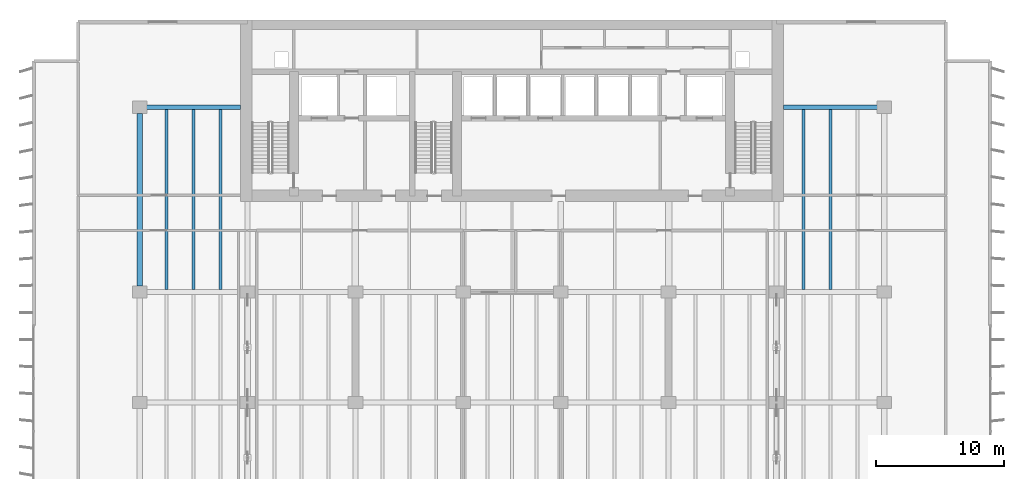
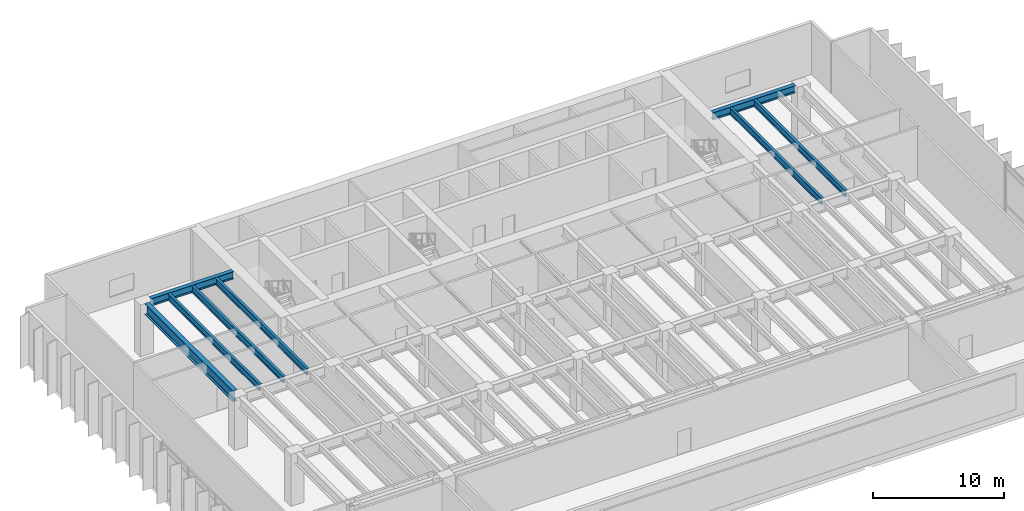
# One storey, part 9 of 21: 8 beams.
"""IFC4 building model written with IfcOpenShell, lengths in metres."""

from ifc_helpers import new_model, si_unit, direction, frame, origin, origin_2d, place, context, subcontext, project, spatial, i_section, extrude, material, material_profile, profile_set, type_object, element, save


model = new_model("IFC4")

# Units and contexts
model_context = context("Model", 3, precision=1e-05, world=origin(), true_north=direction((0.0, 1.0)))
body_context = subcontext(model_context, "Body", "Model", "MODEL_VIEW")
ifc_project = project(units=[si_unit("LENGTHUNIT", "METRE"), si_unit("AREAUNIT", "SQUARE_METRE"), si_unit("VOLUMEUNIT", "CUBIC_METRE"), si_unit("PLANEANGLEUNIT", "RADIAN"), si_unit("MASSUNIT", "GRAM", prefix="KILO")], contexts=[model_context])

# Site, building, storey
site_placement = place(None, origin())
site = spatial("IfcSite", under=ifc_project, at=site_placement, CompositionType="ELEMENT")
building_placement = place(site_placement, origin())
building = spatial("IfcBuilding", under=site, at=building_placement, Name="Caelmar Bay Residences", CompositionType="ELEMENT")
storey_placement = place(building_placement, frame((0.0, 0.0, 79.5)))
storey = spatial("IfcBuildingStorey", under=building, at=storey_placement, Name="L21", CompositionType="ELEMENT", Elevation=79.5)

# Beams
ifc_material = material(Name="Steel ASTM A992 Grade 50", Category="steel")
ifc_material_profile_1 = material_profile(ifc_material, i_section(OverallWidth=0.404052734375, OverallDepth=1.02099609375, WebThickness=0.025390625, FlangeThickness=0.0458984375, FilletRadius=0.02294921875, at=origin_2d()), Name="W40X324")
ifc_profile_set_1 = profile_set([ifc_material_profile_1], Name="Steel ASTM A992 Grade 50")
beam_type_1 = type_object("IfcBeamType", Name="BM-GRD-W40X324", PredefinedType="BEAM", material=ifc_profile_set_1)
beam_placement = place(storey_placement, frame((9.89990234375, 29.864990234375, 4.339599609375), z_axis=(0.0, 1.0, 0.0), x_axis=(-1.0, 0.0, 0.0)))
element("IfcBeam", 1, at=beam_placement, inside=storey, type_object=beam_type_1, Name="L21 North-South Girder X=9.90 (29.4-43.8)", PredefinedType="BEAM", context=body_context, shape_type="SweptSolid", body=[
    extrude(i_section(OverallWidth=0.404052734375, OverallDepth=1.02099609375, WebThickness=0.025390625, FlangeThickness=0.0458984375, FilletRadius=0.02294921875, at=origin_2d()), origin(), (0.0, 0.0, 1.0), 13.469970703125),
])
ifc_material_profile_2 = material_profile(ifc_material, i_section(OverallWidth=0.22900390625, OverallDepth=0.612060546875, WebThickness=0.011962890625, FlangeThickness=0.01953125, FilletRadius=0.0126953125, at=origin_2d()), Name="W24X84")
ifc_profile_set_2 = profile_set([ifc_material_profile_2], Name="Steel ASTM A992 Grade 50")
beam_type_2 = type_object("IfcBeamType", Name="BM-JST-W24X84", PredefinedType="JOIST", material=ifc_profile_set_2)
for number, where, z_axis, x_axis, name in (
    (2, (12.0, 29.60205078125, 4.5439453125), (0.0, 1.0, 0.0), (-1.0, 0.0, 0.0), "L21 Composite Floor Joist 48"),
    (3, (14.10009765625, 29.60205078125, 4.5439453125), (0.0, 1.0, 0.0), (-1.0, 0.0, 0.0), "L21 Composite Floor Joist 49"),
    (4, (16.199951171875, 29.60205078125, 4.5439453125), (0.0, 1.0, 0.0), (-1.0, 0.0, 0.0), "L21 Composite Floor Joist 50"),
    (5, (61.60009765625, 29.60205078125, 4.5439453125), (0.0, 1.0, 0.0), (-1.0, 0.0, 0.0), "L21 Composite Floor Joist 51"),
    (6, (63.699951171875, 29.60205078125, 4.5439453125), (0.0, 1.0, 0.0), (-1.0, 0.0, 0.0), "L21 Composite Floor Joist 52"),
):
    element("IfcBeam", number, at=place(storey_placement, frame(where, z_axis=z_axis, x_axis=x_axis)), inside=storey, type_object=beam_type_2, Name=name, PredefinedType="JOIST", context=body_context, shape_type="SweptSolid", body=[
        extrude(i_section(OverallWidth=0.22900390625, OverallDepth=0.612060546875, WebThickness=0.011962890625, FlangeThickness=0.01953125, FilletRadius=0.0126953125, at=origin_2d()), origin(), (0.0, 0.0, 1.0), 14.02001953125),
    ])
ifc_material_profile_3 = material_profile(ifc_material, i_section(OverallWidth=0.35595703125, OverallDepth=0.696044921875, WebThickness=0.015380859375, FlangeThickness=0.02490234375, FilletRadius=0.01513671875, at=origin_2d()), Name="W27X146")
ifc_profile_set_3 = profile_set([ifc_material_profile_3], Name="Steel ASTM A992 Grade 50")
beam_type_3 = type_object("IfcBeamType", Name="BM-SPN-W27X146", PredefinedType="SPANDREL", material=ifc_profile_set_3)
for number, where, z_axis, x_axis, name in (
    (7, (10.43994140625, 43.800048828125, 4.501953125), (1.0, 0.0, 0.0), (0.0, 1.0, 0.0), "L21 North-West Wing Core Tie Girder"),
    (8, (60.050048828125, 43.800048828125, 4.501953125), (1.0, 0.0, 0.0), (0.0, 1.0, 0.0), "L21 North-East Wing Core Tie Girder"),
):
    element("IfcBeam", number, at=place(storey_placement, frame(where, z_axis=z_axis, x_axis=x_axis)), inside=storey, type_object=beam_type_3, Name=name, PredefinedType="SPANDREL", context=body_context, shape_type="SweptSolid", body=[
        extrude(i_section(OverallWidth=0.35595703125, OverallDepth=0.696044921875, WebThickness=0.015380859375, FlangeThickness=0.02490234375, FilletRadius=0.01513671875, at=origin_2d()), origin(), (0.0, 0.0, 1.0), 7.31005859375),
    ])

save(model, "model.ifc")
